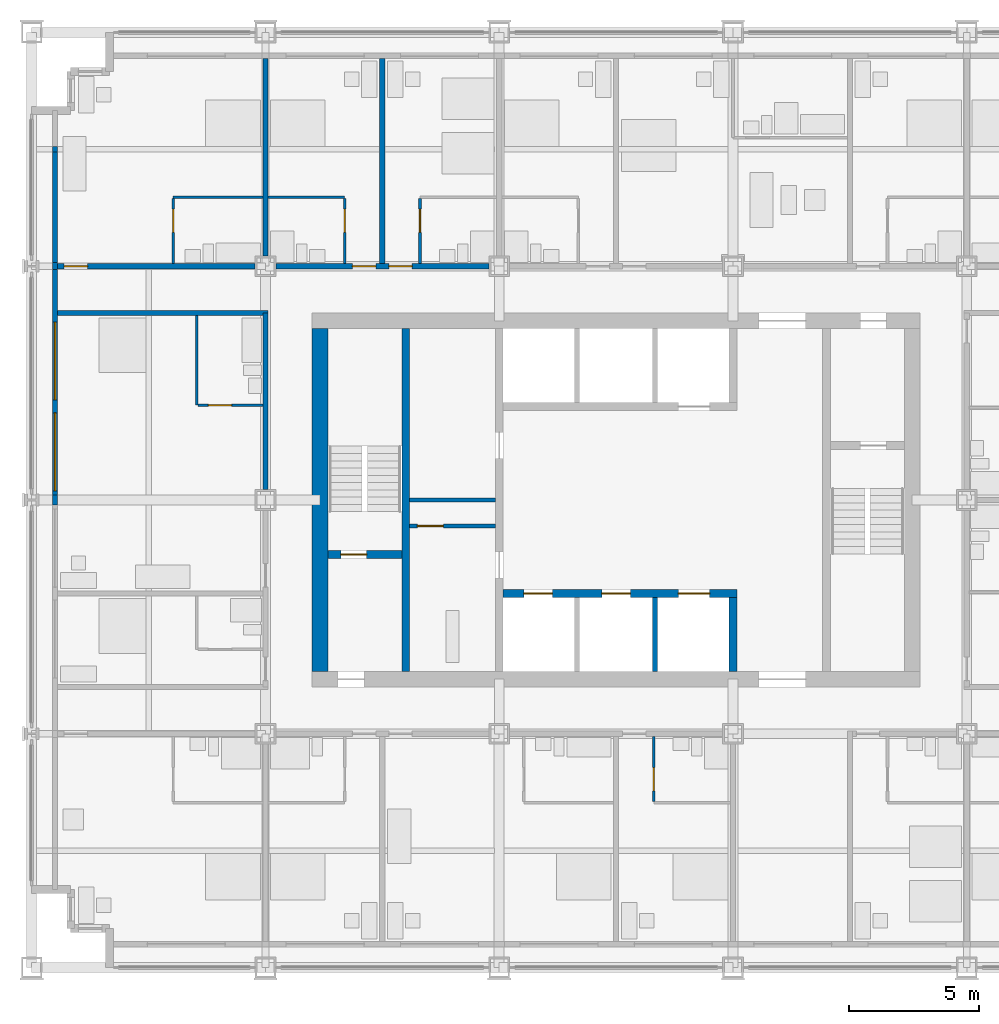
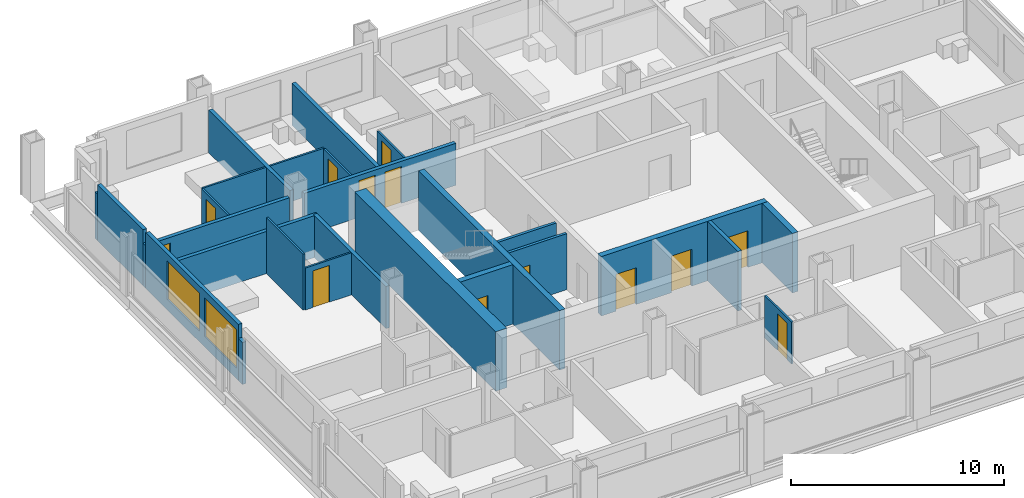
# One storey, part 10 of 16: 27 walls, 13 doors, 2 windows, 15 openings.
"""IFC4 building model written with IfcOpenShell, lengths in metres."""

from ifc_helpers import new_model, si_unit, direction, frame, frame_2d, origin, place, context, subcontext, project, spatial, rectangle, extrude, material, layer, layer_set, type_object, element, fill, save


model = new_model("IFC4")

# Units and contexts
model_context = context("Model", 3, precision=1e-05, world=origin(), true_north=direction((0.0, 1.0)))
body_context = subcontext(model_context, "Body", "Model", "MODEL_VIEW")
ifc_project = project(units=[si_unit("LENGTHUNIT", "METRE"), si_unit("AREAUNIT", "SQUARE_METRE"), si_unit("VOLUMEUNIT", "CUBIC_METRE"), si_unit("PLANEANGLEUNIT", "RADIAN"), si_unit("MASSUNIT", "GRAM", prefix="KILO")], contexts=[model_context])

# Site, building, storey
site_placement = place(None, origin())
site = spatial("IfcSite", under=ifc_project, at=site_placement, CompositionType="ELEMENT")
building_placement = place(site_placement, origin())
building = spatial("IfcBuilding", under=site, at=building_placement, Name="Loomwork Tower", CompositionType="ELEMENT")
storey_placement = place(building_placement, frame((0.0, 0.0, 104.39990234375)))
storey = spatial("IfcBuildingStorey", under=building, at=storey_placement, Name="L27", CompositionType="ELEMENT", Elevation=104.39990234375)

# Wall
ifc_material_1 = material(Name="Concrete 14000 psi (97 MPa)", Category="concrete")
ifc_layer_1 = layer(ifc_material_1, 0.300048828125)
ifc_layer_set_1 = layer_set([ifc_layer_1], Name="Core shear wall 300")
wall_type_1 = type_object("IfcWallType", Name="Core shear wall 300", PredefinedType="SHEAR", material=ifc_layer_set_1)
wall_1_placement = place(storey_placement, frame((14.39990234375, 11.39990234375, 0.0), z_axis=(0.0, 0.0, 1.0), x_axis=(0.0, 1.0, 0.0)))
element("IfcWall", 1, at=wall_1_placement, inside=storey, type_object=wall_type_1, Name="Stair A east wall L27", PredefinedType="SHEAR", context=body_context, shape_type="SweptSolid", body=[
    extrude(rectangle(XDim=13.2001953125, YDim=0.300048828125, at=frame_2d((6.60009765625, 0.0))), origin(), (0.0, 0.0, 1.0), 3.400146484375),
])

# Wall, opening, door
wall_2_placement = place(storey_placement, frame((11.39990234375, 15.89990234375, 0.0), z_axis=(0.0, 0.0, 1.0), x_axis=(1.0, 0.0, 0.0)))
wall_2 = element("IfcWall", 2, at=wall_2_placement, inside=storey, type_object=wall_type_1, Name="Stair A south wall L27", PredefinedType="SHEAR", context=body_context, shape_type="SweptSolid", body=[
    extrude(rectangle(XDim=2.85009765625, YDim=0.300048828125, at=frame_2d((1.425048828125, 0.0))), origin(), (0.0, 0.0, 1.0), 3.400146484375),
])
opening_1_placement = place(wall_2_placement, frame((0.5, 0.0, 0.0)))
opening_1 = element("IfcOpeningElement", 3, at=opening_1_placement, cuts=wall_2, Name="Opening D4", PredefinedType="OPENING", context=body_context, shape_type="SweptSolid", body=[
    extrude(rectangle(XDim=1.0, YDim=2.10009765625, at=frame_2d((0.5, 1.050048828125))), frame((0.0, 0.159912109375, 0.0), z_axis=(0.0, -1.0, 0.0), x_axis=(1.0, 0.0, 0.0)), (0.0, 0.0, 1.0), 0.320068359375),
])
ifc_material_2 = material(Name="Hollow metal door and frame")
door_type_1 = type_object("IfcDoorType", Name="Stair door 1000", OperationType="SINGLE_SWING_RIGHT", PredefinedType="DOOR", material=ifc_material_2)
door_1_placement = place(opening_1_placement, origin())
door_1 = element("IfcDoor", 4, at=door_1_placement, inside=storey, type_object=door_type_1, Name="Stair A door", OperationType="SINGLE_SWING_LEFT", OverallHeight=2.10009765625, OverallWidth=1.0, PredefinedType="DOOR", context=body_context, shape_type="SweptSolid", body=[
    extrude(rectangle(XDim=1.0, YDim=2.10009765625, at=frame_2d((0.5, 1.050048828125))), frame((0.0, 0.02490234375, 0.0), z_axis=(0.0, -1.0, 0.0), x_axis=(1.0, 0.0, 0.0)), (0.0, 0.0, 1.0), 0.050048828125),
])
fill(opening_1, door_1)

# Wall, openings, doors
wall_3_placement = place(storey_placement, frame((18.14990234375, 14.39990234375, 0.0), z_axis=(0.0, 0.0, 1.0), x_axis=(1.0, 0.0, 0.0)))
wall_3 = element("IfcWall", 5, at=wall_3_placement, inside=storey, type_object=wall_type_1, Name="Lift front wall south L27", PredefinedType="SHEAR", context=body_context, shape_type="SweptSolid", body=[
    extrude(rectangle(XDim=9.0, YDim=0.300048828125, at=frame_2d((4.5, 0.0))), origin(), (0.0, 0.0, 1.0), 3.400146484375),
])
opening_2_placement = place(wall_3_placement, frame((0.800048828125, 0.0, 0.0)))
opening_2 = element("IfcOpeningElement", 6, at=opening_2_placement, cuts=wall_3, Name="Opening LD1", PredefinedType="OPENING", context=body_context, shape_type="SweptSolid", body=[
    extrude(rectangle(XDim=1.10009765625, YDim=2.10009765625, at=frame_2d((0.550048828125, 1.050048828125))), frame((0.0, 0.159912109375, 0.0), z_axis=(0.0, -1.0, 0.0), x_axis=(1.0, 0.0, 0.0)), (0.0, 0.0, 1.0), 0.320068359375),
])
opening_3_placement = place(wall_3_placement, frame((3.800048828125, 0.0, 0.0)))
opening_3 = element("IfcOpeningElement", 7, at=opening_3_placement, cuts=wall_3, Name="Opening LD1", PredefinedType="OPENING", context=body_context, shape_type="SweptSolid", body=[
    extrude(rectangle(XDim=1.10009765625, YDim=2.10009765625, at=frame_2d((0.550048828125, 1.050048828125))), frame((0.0, 0.159912109375, 0.0), z_axis=(0.0, -1.0, 0.0), x_axis=(1.0, 0.0, 0.0)), (0.0, 0.0, 1.0), 0.320068359375),
])
opening_4_placement = place(wall_3_placement, frame((6.75, 0.0, 0.0)))
opening_4 = element("IfcOpeningElement", 8, at=opening_4_placement, cuts=wall_3, Name="Opening LD2", PredefinedType="OPENING", context=body_context, shape_type="SweptSolid", body=[
    extrude(rectangle(XDim=1.199951171875, YDim=2.10009765625, at=frame_2d((0.60009765625, 1.050048828125))), frame((0.0, 0.159912109375, 0.0), z_axis=(0.0, -1.0, 0.0), x_axis=(1.0, 0.0, 0.0)), (0.0, 0.0, 1.0), 0.320068359375),
])
ifc_material_3 = material(Name="Hollow metal door and frame")
door_type_2 = type_object("IfcDoorType", Name="Lift landing door 1100", OperationType="SLIDING_TO_LEFT", PredefinedType="DOOR", material=ifc_material_3)
door_2_placement = place(opening_2_placement, origin())
door_2 = element("IfcDoor", 9, at=door_2_placement, inside=storey, type_object=door_type_2, Name="Lift landing door LB1", OperationType="SLIDING_TO_LEFT", OverallHeight=2.10009765625, OverallWidth=1.10009765625, PredefinedType="DOOR", context=body_context, shape_type="SweptSolid", body=[
    extrude(rectangle(XDim=1.10009765625, YDim=2.10009765625, at=frame_2d((0.550048828125, 1.050048828125))), frame((0.0, 0.02490234375, 0.0), z_axis=(0.0, -1.0, 0.0), x_axis=(1.0, 0.0, 0.0)), (0.0, 0.0, 1.0), 0.050048828125),
])
fill(opening_2, door_2)
door_3_placement = place(opening_3_placement, origin())
door_3 = element("IfcDoor", 10, at=door_3_placement, inside=storey, type_object=door_type_2, Name="Lift landing door LB2", OperationType="SLIDING_TO_LEFT", OverallHeight=2.10009765625, OverallWidth=1.10009765625, PredefinedType="DOOR", context=body_context, shape_type="SweptSolid", body=[
    extrude(rectangle(XDim=1.10009765625, YDim=2.10009765625, at=frame_2d((0.550048828125, 1.050048828125))), frame((0.0, 0.02490234375, 0.0), z_axis=(0.0, -1.0, 0.0), x_axis=(1.0, 0.0, 0.0)), (0.0, 0.0, 1.0), 0.050048828125),
])
fill(opening_3, door_3)
ifc_material_4 = material(Name="Hollow metal door and frame")
door_type_3 = type_object("IfcDoorType", Name="Lift landing door 1200", OperationType="SLIDING_TO_LEFT", PredefinedType="DOOR", material=ifc_material_4)
door_4_placement = place(opening_4_placement, origin())
door_4 = element("IfcDoor", 11, at=door_4_placement, inside=storey, type_object=door_type_3, Name="Lift landing door LF1", OperationType="SLIDING_TO_LEFT", OverallHeight=2.10009765625, OverallWidth=1.199951171875, PredefinedType="DOOR", context=body_context, shape_type="SweptSolid", body=[
    extrude(rectangle(XDim=1.199951171875, YDim=2.10009765625, at=frame_2d((0.60009765625, 1.050048828125))), frame((0.0, 0.02490234375, 0.0), z_axis=(0.0, -1.0, 0.0), x_axis=(1.0, 0.0, 0.0)), (0.0, 0.0, 1.0), 0.050048828125),
])
fill(opening_4, door_4)

# Walls
wall_4_placement = place(storey_placement, frame((27.0, 11.39990234375, 0.0), z_axis=(0.0, 0.0, 1.0), x_axis=(0.0, 1.0, 0.0)))
element("IfcWall", 12, at=wall_4_placement, inside=storey, type_object=wall_type_1, Name="Lift shaft end wall south L27", PredefinedType="SHEAR", context=body_context, shape_type="SweptSolid", body=[
    extrude(rectangle(XDim=2.85009765625, YDim=0.300048828125, at=frame_2d((1.425048828125, 0.0))), origin(), (0.0, 0.0, 1.0), 3.400146484375),
])
ifc_material_5 = material(Name="Concrete 14000 psi (97 MPa)", Category="concrete")
ifc_layer_2 = layer(ifc_material_5, 0.60009765625)
ifc_layer_set_2 = layer_set([ifc_layer_2], Name="Core shear wall 600")
wall_type_2 = type_object("IfcWallType", Name="Core shear wall 600", PredefinedType="SHEAR", material=ifc_layer_set_2)
wall_5_placement = place(storey_placement, frame((11.10009765625, 11.39990234375, 0.0), z_axis=(0.0, 0.0, 1.0), x_axis=(0.0, 1.0, 0.0)))
element("IfcWall", 13, at=wall_5_placement, inside=storey, type_object=wall_type_2, Name="Core wall west L27", PredefinedType="SHEAR", context=body_context, shape_type="SweptSolid", body=[
    extrude(rectangle(XDim=13.2001953125, YDim=0.60009765625, at=frame_2d((6.60009765625, 0.0))), origin(), (0.0, 0.0, 1.0), 3.400146484375),
])

# Wall, opening, door
ifc_material_6 = material(Name="Gypsum board on steel studs, one-hour", Category="steel")
ifc_layer_3 = layer(ifc_material_6, 0.199951171875)
ifc_layer_set_3 = layer_set([ifc_layer_3], Name="Corridor wall 200")
wall_type_3 = type_object("IfcWallType", Name="Corridor wall 200", PredefinedType="PARTITIONING", material=ifc_layer_set_3)
wall_6_placement = place(storey_placement, frame((1.0, 27.0, 0.0), z_axis=(0.0, 0.0, 1.0), x_axis=(1.0, 0.0, 0.0)))
wall_6 = element("IfcWall", 14, at=wall_6_placement, inside=storey, type_object=wall_type_3, Name="North corridor wall 1", PredefinedType="PARTITIONING", context=body_context, shape_type="SweptSolid", body=[
    extrude(rectangle(XDim=7.60009765625, YDim=0.199951171875, at=frame_2d((3.800048828125, 0.0))), origin(), (0.0, 0.0, 1.0), 2.43798828125),
])
opening_5_placement = place(wall_6_placement, frame((0.25, 0.0, 0.0)))
opening_5 = element("IfcOpeningElement", 15, at=opening_5_placement, cuts=wall_6, Name="Opening D1", PredefinedType="OPENING", context=body_context, shape_type="SweptSolid", body=[
    extrude(rectangle(XDim=0.89990234375, YDim=2.10009765625, at=frame_2d((0.449951171875, 1.050048828125))), frame((0.0, 0.10986328125, 0.0), z_axis=(0.0, -1.0, 0.0), x_axis=(1.0, 0.0, 0.0)), (0.0, 0.0, 1.0), 0.219970703125),
])
ifc_material_7 = material(Name="Hollow metal door and frame")
door_type_4 = type_object("IfcDoorType", Name="Guest room entry door 900", OperationType="SINGLE_SWING_LEFT", PredefinedType="DOOR", material=ifc_material_7)
door_5_placement = place(opening_5_placement, origin())
door_5 = element("IfcDoor", 16, at=door_5_placement, inside=storey, type_object=door_type_4, Name="Guest room entry door L27 7", OperationType="SINGLE_SWING_LEFT", OverallHeight=2.10009765625, OverallWidth=0.89990234375, PredefinedType="DOOR", context=body_context, shape_type="SweptSolid", body=[
    extrude(rectangle(XDim=0.89990234375, YDim=2.10009765625, at=frame_2d((0.449951171875, 1.050048828125))), frame((0.0, 0.02490234375, 0.0), z_axis=(0.0, -1.0, 0.0), x_axis=(1.0, 0.0, 0.0)), (0.0, 0.0, 1.0), 0.050048828125),
])
fill(opening_5, door_5)

# Wall, openings, doors
wall_7_placement = place(storey_placement, frame((9.39990234375, 27.0, 0.0), z_axis=(0.0, 0.0, 1.0), x_axis=(1.0, 0.0, 0.0)))
wall_7 = element("IfcWall", 17, at=wall_7_placement, inside=storey, type_object=wall_type_3, Name="North corridor wall 2", PredefinedType="PARTITIONING", context=body_context, shape_type="SweptSolid", body=[
    extrude(rectangle(XDim=8.2001953125, YDim=0.199951171875, at=frame_2d((4.10009765625, 0.0))), origin(), (0.0, 0.0, 1.0), 2.405029296875),
])
opening_6_placement = place(wall_7_placement, frame((2.949951171875, 0.0, 0.0)))
opening_6 = element("IfcOpeningElement", 18, at=opening_6_placement, cuts=wall_7, Name="Opening D1", PredefinedType="OPENING", context=body_context, shape_type="SweptSolid", body=[
    extrude(rectangle(XDim=0.89990234375, YDim=2.10009765625, at=frame_2d((0.449951171875, 1.050048828125))), frame((0.0, 0.10986328125, 0.0), z_axis=(0.0, -1.0, 0.0), x_axis=(1.0, 0.0, 0.0)), (0.0, 0.0, 1.0), 0.219970703125),
])
opening_7_placement = place(wall_7_placement, frame((4.35009765625, 0.0, 0.0)))
opening_7 = element("IfcOpeningElement", 19, at=opening_7_placement, cuts=wall_7, Name="Opening D1", PredefinedType="OPENING", context=body_context, shape_type="SweptSolid", body=[
    extrude(rectangle(XDim=0.89990234375, YDim=2.10009765625, at=frame_2d((0.449951171875, 1.050048828125))), frame((0.0, 0.10986328125, 0.0), z_axis=(0.0, -1.0, 0.0), x_axis=(1.0, 0.0, 0.0)), (0.0, 0.0, 1.0), 0.219970703125),
])
door_6_placement = place(opening_6_placement, origin())
door_6 = element("IfcDoor", 20, at=door_6_placement, inside=storey, type_object=door_type_4, Name="Guest room entry door L27 8", OperationType="SINGLE_SWING_RIGHT", OverallHeight=2.10009765625, OverallWidth=0.89990234375, PredefinedType="DOOR", context=body_context, shape_type="SweptSolid", body=[
    extrude(rectangle(XDim=0.89990234375, YDim=2.10009765625, at=frame_2d((0.449951171875, 1.050048828125))), frame((0.0, 0.02490234375, 0.0), z_axis=(0.0, -1.0, 0.0), x_axis=(1.0, 0.0, 0.0)), (0.0, 0.0, 1.0), 0.050048828125),
])
fill(opening_6, door_6)
door_7_placement = place(opening_7_placement, origin())
door_7 = element("IfcDoor", 21, at=door_7_placement, inside=storey, type_object=door_type_4, Name="Guest room entry door L27 9", OperationType="SINGLE_SWING_LEFT", OverallHeight=2.10009765625, OverallWidth=0.89990234375, PredefinedType="DOOR", context=body_context, shape_type="SweptSolid", body=[
    extrude(rectangle(XDim=0.89990234375, YDim=2.10009765625, at=frame_2d((0.449951171875, 1.050048828125))), frame((0.0, 0.02490234375, 0.0), z_axis=(0.0, -1.0, 0.0), x_axis=(1.0, 0.0, 0.0)), (0.0, 0.0, 1.0), 0.050048828125),
])
fill(opening_7, door_7)

# Walls
wall_8_placement = place(storey_placement, frame((9.0, 18.39990234375, 0.0), z_axis=(0.0, 0.0, 1.0), x_axis=(0.0, 1.0, 0.0)))
element("IfcWall", 22, at=wall_8_placement, inside=storey, type_object=wall_type_3, Name="West corridor wall 2", PredefinedType="PARTITIONING", context=body_context, shape_type="SweptSolid", body=[
    extrude(rectangle(XDim=6.800048828125, YDim=0.199951171875, at=frame_2d((3.39990234375, 0.0))), origin(), (0.0, 0.0, 1.0), 2.405029296875),
])
wall_9_placement = place(storey_placement, frame((1.0, 25.199951171875, 0.0), z_axis=(0.0, 0.0, 1.0), x_axis=(1.0, 0.0, 0.0)))
element("IfcWall", 23, at=wall_9_placement, inside=storey, type_object=wall_type_3, Name="West band end wall N", PredefinedType="PARTITIONING", context=body_context, shape_type="SweptSolid", body=[
    extrude(rectangle(XDim=8.10009765625, YDim=0.199951171875, at=frame_2d((4.050048828125, 0.0))), origin(), (0.0, 0.0, 1.0), 2.404052734375),
])

# Wall, opening, door
ifc_material_8 = material(Name="Cement board on steel studs", Category="steel")
ifc_layer_4 = layer(ifc_material_8, 0.10009765625)
ifc_layer_set_4 = layer_set([ifc_layer_4], Name="En-suite partition 100")
wall_type_4 = type_object("IfcWallType", Name="En-suite partition 100", PredefinedType="PARTITIONING", material=ifc_layer_set_4)
wall_10_placement = place(storey_placement, frame((23.949951171875, 8.89990234375, 0.0), z_axis=(0.0, 0.0, 1.0), x_axis=(0.0, -1.0, 0.0)))
wall_10 = element("IfcWall", 24, at=wall_10_placement, inside=storey, type_object=wall_type_4, Name="En-suite side wall L27 room 4", PredefinedType="PARTITIONING", context=body_context, shape_type="SweptSolid", body=[
    extrude(rectangle(XDim=2.5, YDim=0.10009765625, at=frame_2d((1.25, 0.0))), origin(), (0.0, 0.0, 1.0), 2.404052734375),
])
opening_8_placement = place(wall_10_placement, frame((1.199951171875, 0.0, 0.0)))
opening_8 = element("IfcOpeningElement", 25, at=opening_8_placement, cuts=wall_10, Name="Opening D2", PredefinedType="OPENING", context=body_context, shape_type="SweptSolid", body=[
    extrude(rectangle(XDim=0.89990234375, YDim=2.10009765625, at=frame_2d((0.449951171875, 1.050048828125))), frame((0.0, 0.06005859375, 0.0), z_axis=(0.0, -1.0, 0.0), x_axis=(1.0, 0.0, 0.0)), (0.0, 0.0, 1.0), 0.1201171875),
])
ifc_material_9 = material(Name="Hollow metal door and frame")
door_type_5 = type_object("IfcDoorType", Name="En-suite door 900", OperationType="SINGLE_SWING_LEFT", PredefinedType="DOOR", material=ifc_material_9)
door_8_placement = place(opening_8_placement, origin())
door_8 = element("IfcDoor", 26, at=door_8_placement, inside=storey, type_object=door_type_5, Name="En-suite door room 4", OperationType="SINGLE_SWING_RIGHT", OverallHeight=2.10009765625, OverallWidth=0.89990234375, PredefinedType="DOOR", context=body_context, shape_type="SweptSolid", body=[
    extrude(rectangle(XDim=0.89990234375, YDim=2.10009765625, at=frame_2d((0.449951171875, 1.050048828125))), frame((0.0, 0.02490234375, 0.0), z_axis=(0.0, -1.0, 0.0), x_axis=(1.0, 0.0, 0.0)), (0.0, 0.0, 1.0), 0.050048828125),
])
fill(opening_8, door_8)

# Wall
wall_11_placement = place(storey_placement, frame((5.449951171875, 29.64990234375, 0.0), z_axis=(0.0, 0.0, 1.0), x_axis=(1.0, 0.0, 0.0)))
element("IfcWall", 27, at=wall_11_placement, inside=storey, type_object=wall_type_4, Name="En-suite wall L27 room 7", PredefinedType="PARTITIONING", context=body_context, shape_type="SweptSolid", body=[
    extrude(rectangle(XDim=3.449951171875, YDim=0.10009765625, at=frame_2d((1.72509765625, 0.0))), origin(), (0.0, 0.0, 1.0), 2.43798828125),
])

# Wall, opening, door
wall_12_placement = place(storey_placement, frame((5.449951171875, 27.10009765625, 0.0), z_axis=(0.0, 0.0, 1.0), x_axis=(0.0, 1.0, 0.0)))
wall_12 = element("IfcWall", 28, at=wall_12_placement, inside=storey, type_object=wall_type_4, Name="En-suite side wall L27 room 7", PredefinedType="PARTITIONING", context=body_context, shape_type="SweptSolid", body=[
    extrude(rectangle(XDim=2.5, YDim=0.10009765625, at=frame_2d((1.25, 0.0))), origin(), (0.0, 0.0, 1.0), 2.43798828125),
])
opening_9_placement = place(wall_12_placement, frame((1.199951171875, 0.0, 0.0)))
opening_9 = element("IfcOpeningElement", 29, at=opening_9_placement, cuts=wall_12, Name="Opening D2", PredefinedType="OPENING", context=body_context, shape_type="SweptSolid", body=[
    extrude(rectangle(XDim=0.89990234375, YDim=2.10009765625, at=frame_2d((0.449951171875, 1.050048828125))), frame((0.0, 0.06005859375, 0.0), z_axis=(0.0, -1.0, 0.0), x_axis=(1.0, 0.0, 0.0)), (0.0, 0.0, 1.0), 0.1201171875),
])
door_9_placement = place(opening_9_placement, frame((0.89990234375, 0.0, 0.0), z_axis=(0.0, 0.0, 1.0), x_axis=(-1.0, 0.0, 0.0)))
door_9 = element("IfcDoor", 30, at=door_9_placement, inside=storey, type_object=door_type_5, Name="En-suite door room 7", OperationType="SINGLE_SWING_LEFT", OverallHeight=2.10009765625, OverallWidth=0.89990234375, PredefinedType="DOOR", context=body_context, shape_type="SweptSolid", body=[
    extrude(rectangle(XDim=0.89990234375, YDim=2.10009765625, at=frame_2d((0.449951171875, 1.050048828125))), frame((0.0, 0.02490234375, 0.0), z_axis=(0.0, -1.0, 0.0), x_axis=(1.0, 0.0, 0.0)), (0.0, 0.0, 1.0), 0.050048828125),
])
fill(opening_9, door_9)

# Wall
wall_13_placement = place(storey_placement, frame((9.10009765625, 29.64990234375, 0.0), z_axis=(0.0, 0.0, 1.0), x_axis=(1.0, 0.0, 0.0)))
element("IfcWall", 31, at=wall_13_placement, inside=storey, type_object=wall_type_4, Name="En-suite wall L27 room 8", PredefinedType="PARTITIONING", context=body_context, shape_type="SweptSolid", body=[
    extrude(rectangle(XDim=2.949951171875, YDim=0.10009765625, at=frame_2d((1.47509765625, 0.0))), origin(), (0.0, 0.0, 1.0), 2.43798828125),
])

# Wall, opening, door
wall_14_placement = place(storey_placement, frame((12.050048828125, 27.10009765625, 0.0), z_axis=(0.0, 0.0, 1.0), x_axis=(0.0, 1.0, 0.0)))
wall_14 = element("IfcWall", 32, at=wall_14_placement, inside=storey, type_object=wall_type_4, Name="En-suite side wall L27 room 8", PredefinedType="PARTITIONING", context=body_context, shape_type="SweptSolid", body=[
    extrude(rectangle(XDim=2.5, YDim=0.10009765625, at=frame_2d((1.25, 0.0))), origin(), (0.0, 0.0, 1.0), 2.404052734375),
])
opening_10_placement = place(wall_14_placement, frame((1.199951171875, 0.0, 0.0)))
opening_10 = element("IfcOpeningElement", 33, at=opening_10_placement, cuts=wall_14, Name="Opening D2", PredefinedType="OPENING", context=body_context, shape_type="SweptSolid", body=[
    extrude(rectangle(XDim=0.89990234375, YDim=2.10009765625, at=frame_2d((0.449951171875, 1.050048828125))), frame((0.0, 0.06005859375, 0.0), z_axis=(0.0, -1.0, 0.0), x_axis=(1.0, 0.0, 0.0)), (0.0, 0.0, 1.0), 0.1201171875),
])
door_10_placement = place(opening_10_placement, origin())
door_10 = element("IfcDoor", 34, at=door_10_placement, inside=storey, type_object=door_type_5, Name="En-suite door room 8", OperationType="SINGLE_SWING_RIGHT", OverallHeight=2.10009765625, OverallWidth=0.89990234375, PredefinedType="DOOR", context=body_context, shape_type="SweptSolid", body=[
    extrude(rectangle(XDim=0.89990234375, YDim=2.10009765625, at=frame_2d((0.449951171875, 1.050048828125))), frame((0.0, 0.02490234375, 0.0), z_axis=(0.0, -1.0, 0.0), x_axis=(1.0, 0.0, 0.0)), (0.0, 0.0, 1.0), 0.050048828125),
])
fill(opening_10, door_10)

wall_15_placement = place(storey_placement, frame((14.949951171875, 27.10009765625, 0.0), z_axis=(0.0, 0.0, 1.0), x_axis=(0.0, 1.0, 0.0)))
wall_15 = element("IfcWall", 35, at=wall_15_placement, inside=storey, type_object=wall_type_4, Name="En-suite side wall L27 room 9", PredefinedType="PARTITIONING", context=body_context, shape_type="SweptSolid", body=[
    extrude(rectangle(XDim=2.5, YDim=0.10009765625, at=frame_2d((1.25, 0.0))), origin(), (0.0, 0.0, 1.0), 2.404052734375),
])
opening_11_placement = place(wall_15_placement, frame((1.199951171875, 0.0, 0.0)))
opening_11 = element("IfcOpeningElement", 36, at=opening_11_placement, cuts=wall_15, Name="Opening D2", PredefinedType="OPENING", context=body_context, shape_type="SweptSolid", body=[
    extrude(rectangle(XDim=0.89990234375, YDim=2.10009765625, at=frame_2d((0.449951171875, 1.050048828125))), frame((0.0, 0.06005859375, 0.0), z_axis=(0.0, -1.0, 0.0), x_axis=(1.0, 0.0, 0.0)), (0.0, 0.0, 1.0), 0.1201171875),
])
door_11_placement = place(opening_11_placement, frame((0.89990234375, 0.0, 0.0), z_axis=(0.0, 0.0, 1.0), x_axis=(-1.0, 0.0, 0.0)))
door_11 = element("IfcDoor", 37, at=door_11_placement, inside=storey, type_object=door_type_5, Name="En-suite door room 9", OperationType="SINGLE_SWING_LEFT", OverallHeight=2.10009765625, OverallWidth=0.89990234375, PredefinedType="DOOR", context=body_context, shape_type="SweptSolid", body=[
    extrude(rectangle(XDim=0.89990234375, YDim=2.10009765625, at=frame_2d((0.449951171875, 1.050048828125))), frame((0.0, 0.02490234375, 0.0), z_axis=(0.0, -1.0, 0.0), x_axis=(1.0, 0.0, 0.0)), (0.0, 0.0, 1.0), 0.050048828125),
])
fill(opening_11, door_11)

# Wall
wall_16_placement = place(storey_placement, frame((6.35009765625, 21.64990234375, 0.0), z_axis=(0.0, 0.0, 1.0), x_axis=(0.0, 1.0, 0.0)))
element("IfcWall", 38, at=wall_16_placement, inside=storey, type_object=wall_type_4, Name="En-suite wall L27 room 15", PredefinedType="PARTITIONING", context=body_context, shape_type="SweptSolid", body=[
    extrude(rectangle(XDim=3.4501953125, YDim=0.10009765625, at=frame_2d((1.72509765625, 0.0))), origin(), (0.0, 0.0, 1.0), 3.2001953125),
])

# Wall, opening, door
wall_17_placement = place(storey_placement, frame((8.89990234375, 21.64990234375, 0.0), z_axis=(0.0, 0.0, 1.0), x_axis=(-1.0, 0.0, 0.0)))
wall_17 = element("IfcWall", 39, at=wall_17_placement, inside=storey, type_object=wall_type_4, Name="En-suite side wall L27 room 15", PredefinedType="PARTITIONING", context=body_context, shape_type="SweptSolid", body=[
    extrude(rectangle(XDim=2.5, YDim=0.10009765625, at=frame_2d((1.25, 0.0))), origin(), (0.0, 0.0, 1.0), 2.404052734375),
])
opening_12_placement = place(wall_17_placement, frame((1.199951171875, 0.0, 0.0)))
opening_12 = element("IfcOpeningElement", 40, at=opening_12_placement, cuts=wall_17, Name="Opening D2", PredefinedType="OPENING", context=body_context, shape_type="SweptSolid", body=[
    extrude(rectangle(XDim=0.89990234375, YDim=2.10009765625, at=frame_2d((0.449951171875, 1.050048828125))), frame((0.0, 0.06005859375, 0.0), z_axis=(0.0, -1.0, 0.0), x_axis=(1.0, 0.0, 0.0)), (0.0, 0.0, 1.0), 0.1201171875),
])
door_12_placement = place(opening_12_placement, frame((0.89990234375, 0.0, 0.0), z_axis=(0.0, 0.0, 1.0), x_axis=(-1.0, 0.0, 0.0)))
door_12 = element("IfcDoor", 41, at=door_12_placement, inside=storey, type_object=door_type_5, Name="En-suite door room 15", OperationType="SINGLE_SWING_LEFT", OverallHeight=2.10009765625, OverallWidth=0.89990234375, PredefinedType="DOOR", context=body_context, shape_type="SweptSolid", body=[
    extrude(rectangle(XDim=0.89990234375, YDim=2.10009765625, at=frame_2d((0.449951171875, 1.050048828125))), frame((0.0, 0.02490234375, 0.0), z_axis=(0.0, -1.0, 0.0), x_axis=(1.0, 0.0, 0.0)), (0.0, 0.0, 1.0), 0.050048828125),
])
fill(opening_12, door_12)

# Walls
ifc_material_10 = material(Name="Gypsum board on steel studs, acoustic", Category="steel")
ifc_layer_5 = layer(ifc_material_10, 0.199951171875)
ifc_layer_set_5 = layer_set([ifc_layer_5], Name="Guest room party wall 200")
wall_type_5 = type_object("IfcWallType", Name="Guest room party wall 200", PredefinedType="PARTITIONING", material=ifc_layer_set_5)
wall_18_placement = place(storey_placement, frame((9.0, 27.39990234375, 0.0), z_axis=(0.0, 0.0, 1.0), x_axis=(0.0, 1.0, 0.0)))
element("IfcWall", 42, at=wall_18_placement, inside=storey, type_object=wall_type_5, Name="Guest room party wall N 9", PredefinedType="PARTITIONING", context=body_context, shape_type="SweptSolid", body=[
    extrude(rectangle(XDim=7.60009765625, YDim=0.199951171875, at=frame_2d((3.800048828125, 0.0))), origin(), (0.0, 0.0, 1.0), 2.43798828125),
])
wall_19_placement = place(storey_placement, frame((13.5, 27.10009765625, 0.0), z_axis=(0.0, 0.0, 1.0), x_axis=(0.0, 1.0, 0.0)))
element("IfcWall", 43, at=wall_19_placement, inside=storey, type_object=wall_type_5, Name="Guest room party wall N 13.5", PredefinedType="PARTITIONING", context=body_context, shape_type="SweptSolid", body=[
    extrude(rectangle(XDim=7.89990234375, YDim=0.199951171875, at=frame_2d((3.949951171875, 0.0))), origin(), (0.0, 0.0, 1.0), 2.404052734375),
])
ifc_material_11 = material(Name="Insulated steel stud wall with gypsum lining", Category="steel")
ifc_layer_6 = layer(ifc_material_11, 0.199951171875)
ifc_layer_set_6 = layer_set([ifc_layer_6], Name="Inner skin wall 200")
wall_type_6 = type_object("IfcWallType", Name="Inner skin wall 200", PredefinedType="SOLIDWALL", material=ifc_layer_set_6)
wall_20_placement = place(storey_placement, frame((0.89990234375, 17.80615234375, 0.0), z_axis=(0.0, 0.0, 1.0), x_axis=(0.0, 1.0, 0.0)))
element("IfcWall", 44, at=wall_20_placement, inside=storey, type_object=wall_type_6, Name="Inner skin wall W bay 6", PredefinedType="SOLIDWALL", context=body_context, shape_type="SweptSolid", body=[
    extrude(rectangle(XDim=0.3876953125, YDim=0.199951171875, at=frame_2d((0.19384765625, 0.0))), origin(), (0.0, 0.0, 1.0), 2.404052734375),
])

# Wall, openings, windows
wall_21_placement = place(storey_placement, frame((0.89990234375, 18.19384765625, 0.0), z_axis=(0.0, 0.0, 1.0), x_axis=(0.0, 1.0, 0.0)))
wall_21 = element("IfcWall", 45, at=wall_21_placement, inside=storey, type_object=wall_type_6, Name="Inner skin wall W bay 7", PredefinedType="SOLIDWALL", context=body_context, shape_type="SweptSolid", body=[
    extrude(rectangle(XDim=8.6708984375, YDim=0.199951171875, at=frame_2d((4.33544921875, 0.0))), origin(), (0.0, 0.0, 1.0), 3.2001953125),
])
opening_13_placement = place(wall_21_placement, frame((0.15625, 0.0, 0.60009765625)))
opening_13 = element("IfcOpeningElement", 46, at=opening_13_placement, cuts=wall_21, Name="Opening CH1", PredefinedType="OPENING", context=body_context, shape_type="SweptSolid", body=[
    extrude(rectangle(XDim=3.0, YDim=2.199951171875, at=frame_2d((1.5, 1.10009765625))), frame((0.0, 0.10986328125, 0.0), z_axis=(0.0, -1.0, 0.0), x_axis=(1.0, 0.0, 0.0)), (0.0, 0.0, 1.0), 0.219970703125),
])
opening_14_placement = place(wall_21_placement, frame((3.65625, 0.0, 0.60009765625)))
opening_14 = element("IfcOpeningElement", 47, at=opening_14_placement, cuts=wall_21, Name="Opening CH1", PredefinedType="OPENING", context=body_context, shape_type="SweptSolid", body=[
    extrude(rectangle(XDim=3.0, YDim=2.199951171875, at=frame_2d((1.5, 1.10009765625))), frame((0.0, 0.10986328125, 0.0), z_axis=(0.0, -1.0, 0.0), x_axis=(1.0, 0.0, 0.0)), (0.0, 0.0, 1.0), 0.219970703125),
])
ifc_material_12 = material(Name="Aluminium frame with clear insulated glass", Category="aluminium")
window_type = type_object("IfcWindowType", Name="Chicago window 3000", PartitioningType="TRIPLE_PANEL_VERTICAL", PredefinedType="WINDOW", material=ifc_material_12)
window_1_placement = place(opening_13_placement, origin())
window_1 = element("IfcWindow", 48, at=window_1_placement, inside=storey, type_object=window_type, Name="Chicago window L27 bay 12", OverallHeight=2.199951171875, OverallWidth=3.0, PartitioningType="TRIPLE_PANEL_VERTICAL", PredefinedType="WINDOW", context=body_context, shape_type="SweptSolid", body=[
    extrude(rectangle(XDim=3.0, YDim=2.199951171875, at=frame_2d((1.5, 1.10009765625))), frame((0.0, 0.030029296875, 0.0), z_axis=(0.0, -1.0, 0.0), x_axis=(1.0, 0.0, 0.0)), (0.0, 0.0, 1.0), 0.06005859375),
])
fill(opening_13, window_1)
window_2_placement = place(opening_14_placement, origin())
window_2 = element("IfcWindow", 49, at=window_2_placement, inside=storey, type_object=window_type, Name="Chicago window L27 bay 12", OverallHeight=2.199951171875, OverallWidth=3.0, PartitioningType="TRIPLE_PANEL_VERTICAL", PredefinedType="WINDOW", context=body_context, shape_type="SweptSolid", body=[
    extrude(rectangle(XDim=3.0, YDim=2.199951171875, at=frame_2d((1.5, 1.10009765625))), frame((0.0, 0.030029296875, 0.0), z_axis=(0.0, -1.0, 0.0), x_axis=(1.0, 0.0, 0.0)), (0.0, 0.0, 1.0), 0.06005859375),
])
fill(opening_14, window_2)

# Walls
wall_22_placement = place(storey_placement, frame((0.89990234375, 26.86474609375, 0.0), z_axis=(0.0, 0.0, 1.0), x_axis=(0.0, 1.0, 0.0)))
element("IfcWall", 50, at=wall_22_placement, inside=storey, type_object=wall_type_6, Name="Inner skin wall W bay 8", PredefinedType="SOLIDWALL", context=body_context, shape_type="SweptSolid", body=[
    extrude(rectangle(XDim=0.2705078125, YDim=0.199951171875, at=frame_2d((0.13525390625, 0.0))), origin(), (0.0, 0.0, 1.0), 2.43798828125),
])
wall_23_placement = place(storey_placement, frame((0.89990234375, 27.13525390625, 0.0), z_axis=(0.0, 0.0, 1.0), x_axis=(0.0, 1.0, 0.0)))
element("IfcWall", 51, at=wall_23_placement, inside=storey, type_object=wall_type_6, Name="Inner skin wall W bay 9", PredefinedType="SOLIDWALL", context=body_context, shape_type="SweptSolid", body=[
    extrude(rectangle(XDim=4.25732421875, YDim=0.199951171875, at=frame_2d((2.128662109375, 0.0))), origin(), (0.0, 0.0, 1.0), 3.2001953125),
])
wall_24_placement = place(storey_placement, frame((0.89990234375, 31.392578125, 0.0), z_axis=(0.0, 0.0, 1.0), x_axis=(0.0, 1.0, 0.0)))
element("IfcWall", 52, at=wall_24_placement, inside=storey, type_object=wall_type_6, Name="Inner skin wall W bay 10", PredefinedType="SOLIDWALL", context=body_context, shape_type="SweptSolid", body=[
    extrude(rectangle(XDim=0.21484375, YDim=0.199951171875, at=frame_2d((0.107421875, 0.0))), origin(), (0.0, 0.0, 1.0), 2.6611328125),
])
ifc_material_13 = material(Name="Concrete 14000 psi (97 MPa)", Category="concrete")
ifc_layer_7 = layer(ifc_material_13, 0.199951171875)
ifc_layer_set_7 = layer_set([ifc_layer_7], Name="Lift shaft wall 200")
wall_type_7 = type_object("IfcWallType", Name="Lift shaft wall 200", PredefinedType="SHEAR", material=ifc_layer_set_7)
wall_25_placement = place(storey_placement, frame((24.0, 11.39990234375, 0.0), z_axis=(0.0, 0.0, 1.0), x_axis=(0.0, 1.0, 0.0)))
element("IfcWall", 53, at=wall_25_placement, inside=storey, type_object=wall_type_7, Name="Lift shaft separation wall south 2 L27", PredefinedType="SHEAR", context=body_context, shape_type="SweptSolid", body=[
    extrude(rectangle(XDim=2.85009765625, YDim=0.199951171875, at=frame_2d((1.425048828125, 0.0))), origin(), (0.0, 0.0, 1.0), 3.400146484375),
])
ifc_material_14 = material(Name="Gypsum board on steel studs", Category="steel")
ifc_layer_8 = layer(ifc_material_14, 0.14990234375)
ifc_layer_set_8 = layer_set([ifc_layer_8], Name="Partition 150 two-hour")
wall_type_8 = type_object("IfcWallType", Name="Partition 150 two-hour", PredefinedType="PARTITIONING", material=ifc_layer_set_8)
wall_26_placement = place(storey_placement, frame((14.550048828125, 18.0, 0.0), z_axis=(0.0, 0.0, 1.0), x_axis=(1.0, 0.0, 0.0)))
element("IfcWall", 54, at=wall_26_placement, inside=storey, type_object=wall_type_8, Name="Back-of-house dividing wall L27", PredefinedType="PARTITIONING", context=body_context, shape_type="SweptSolid", body=[
    extrude(rectangle(XDim=3.300048828125, YDim=0.14990234375, at=frame_2d((1.64990234375, 0.0))), origin(), (0.0, 0.0, 1.0), 3.2001953125),
])

# Wall, opening, door
ifc_material_15 = material(Name="Gypsum board on steel studs, one-hour", Category="steel")
ifc_layer_9 = layer(ifc_material_15, 0.14990234375)
ifc_layer_set_9 = layer_set([ifc_layer_9], Name="Service partition 150")
wall_type_9 = type_object("IfcWallType", Name="Service partition 150", PredefinedType="PARTITIONING", material=ifc_layer_set_9)
wall_27_placement = place(storey_placement, frame((14.550048828125, 17.0, 0.0), z_axis=(0.0, 0.0, 1.0), x_axis=(1.0, 0.0, 0.0)))
wall_27 = element("IfcWall", 55, at=wall_27_placement, inside=storey, type_object=wall_type_9, Name="Riser enclosure L27", PredefinedType="PARTITIONING", context=body_context, shape_type="SweptSolid", body=[
    extrude(rectangle(XDim=3.300048828125, YDim=0.14990234375, at=frame_2d((1.64990234375, 0.0))), origin(), (0.0, 0.0, 1.0), 3.2001953125),
])
opening_15_placement = place(wall_27_placement, frame((0.300048828125, 0.0, 0.0)))
opening_15 = element("IfcOpeningElement", 56, at=opening_15_placement, cuts=wall_27, Name="Opening D18", PredefinedType="OPENING", context=body_context, shape_type="SweptSolid", body=[
    extrude(rectangle(XDim=1.0, YDim=2.10009765625, at=frame_2d((0.5, 1.050048828125))), frame((0.0, 0.0849609375, 0.0), z_axis=(0.0, -1.0, 0.0), x_axis=(1.0, 0.0, 0.0)), (0.0, 0.0, 1.0), 0.169921875),
])
ifc_material_16 = material(Name="Hollow metal door and frame")
door_type_6 = type_object("IfcDoorType", Name="Ninety-minute service door 1000", OperationType="SINGLE_SWING_LEFT", PredefinedType="DOOR", material=ifc_material_16)
door_13_placement = place(opening_15_placement, frame((1.0, 0.0, 0.0), z_axis=(0.0, 0.0, 1.0), x_axis=(-1.0, 0.0, 0.0)))
door_13 = element("IfcDoor", 57, at=door_13_placement, inside=storey, type_object=door_type_6, Name="Riser access door", OperationType="SINGLE_SWING_RIGHT", OverallHeight=2.10009765625, OverallWidth=1.0, PredefinedType="DOOR", context=body_context, shape_type="SweptSolid", body=[
    extrude(rectangle(XDim=1.0, YDim=2.10009765625, at=frame_2d((0.5, 1.050048828125))), frame((0.0, 0.02490234375, 0.0), z_axis=(0.0, -1.0, 0.0), x_axis=(1.0, 0.0, 0.0)), (0.0, 0.0, 1.0), 0.050048828125),
])
fill(opening_15, door_13)

save(model, "model.ifc")
